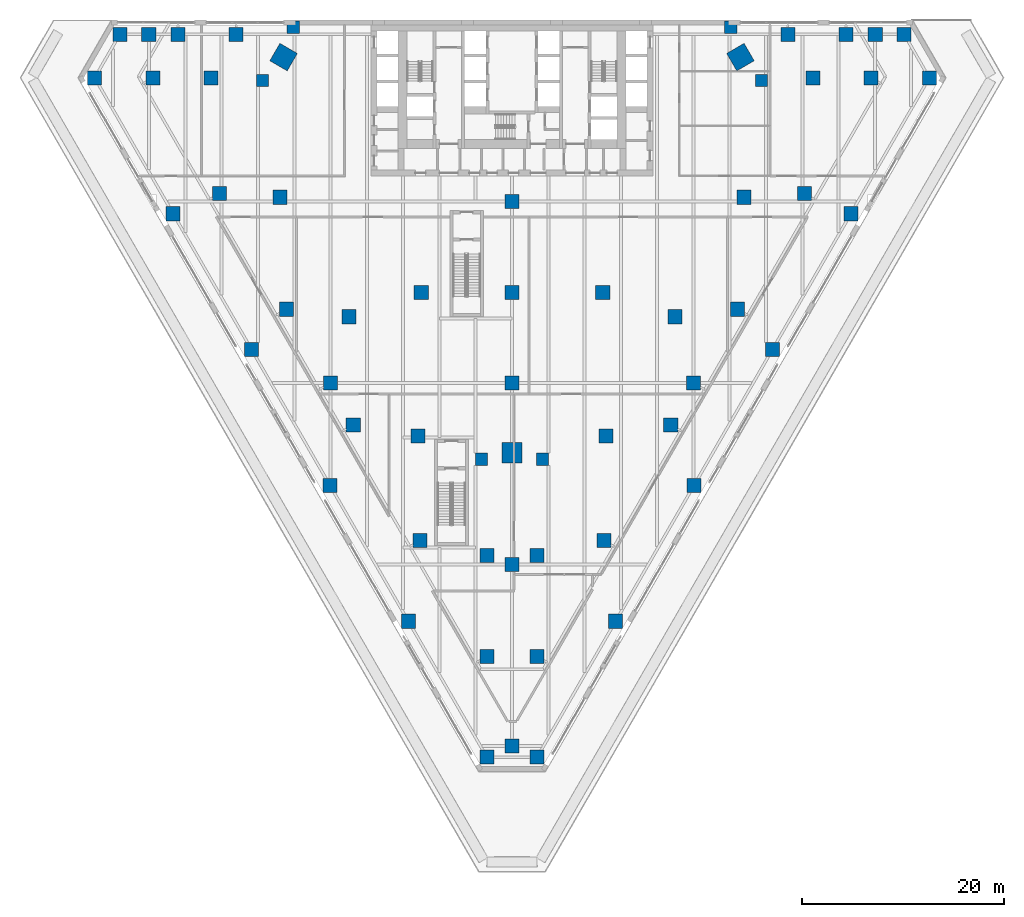
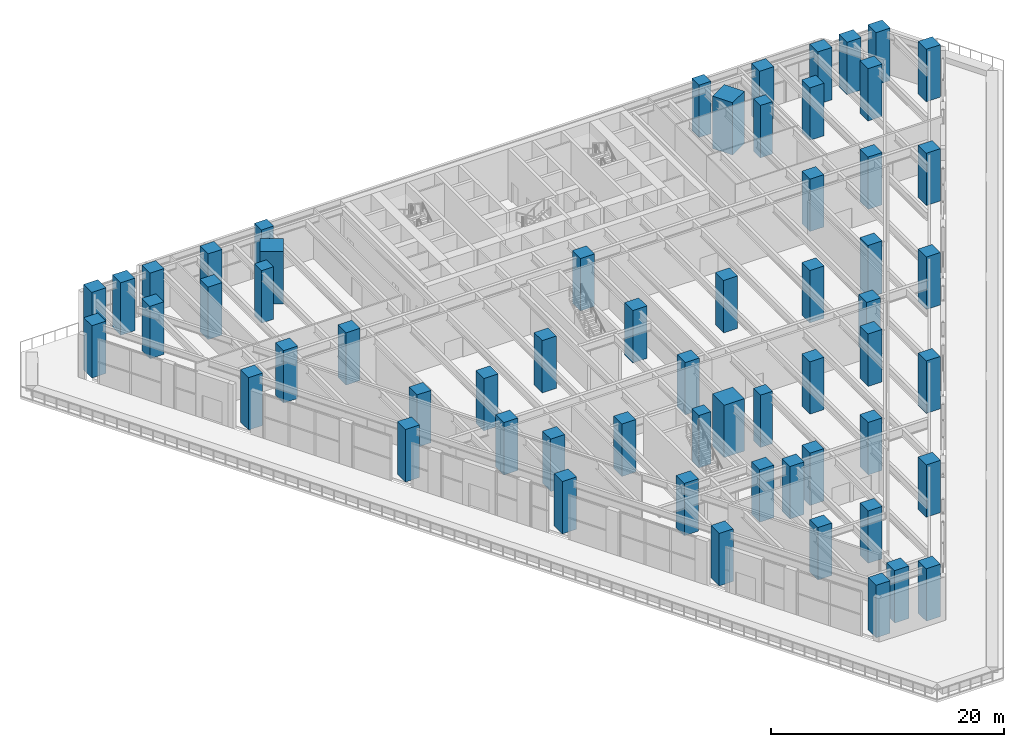
# One storey, part 1 of 30: 60 columns.
"""IFC4 building model written with IfcOpenShell, lengths in metres."""

from ifc_helpers import new_model, si_unit, direction, frame, origin, origin_2d, place, context, subcontext, project, spatial, rectangle, extrude, material, material_profile, profile_set, type_object, element, save


model = new_model("IFC4")

# Units and contexts
model_context = context("Model", 3, precision=1e-05, world=origin(), true_north=direction((0.0, 1.0)))
body_context = subcontext(model_context, "Body", "Model", "MODEL_VIEW")
ifc_project = project(units=[si_unit("LENGTHUNIT", "METRE"), si_unit("AREAUNIT", "SQUARE_METRE"), si_unit("VOLUMEUNIT", "CUBIC_METRE"), si_unit("PLANEANGLEUNIT", "RADIAN"), si_unit("MASSUNIT", "GRAM", prefix="KILO")], contexts=[model_context])

# Site, building, storey
site_placement = place(None, origin())
site = spatial("IfcSite", under=ifc_project, at=site_placement, CompositionType="ELEMENT")
building_placement = place(site_placement, origin())
building = spatial("IfcBuilding", under=site, at=building_placement, Name="Aloe Facet Convention Tower", CompositionType="ELEMENT")
storey_placement = place(building_placement, frame((0.0, 0.0, 19.5)))
storey = spatial("IfcBuildingStorey", under=building, at=storey_placement, Name="L03", CompositionType="ELEMENT", Elevation=19.5)

# Columns
ifc_material_1 = material(Name="Concrete C60/75", Category="concrete")
ifc_material_profile_1 = material_profile(ifc_material_1, rectangle(XDim=1.39990234375, YDim=1.39990234375, at=origin_2d()), Name="SF-PC-1400")
ifc_profile_set_1 = profile_set([ifc_material_profile_1], Name="Concrete C60/75")
column_type_1 = type_object("IfcColumnType", Name="SF-PC-1400", PredefinedType="COLUMN", material=ifc_profile_set_1)
for number, where, z_axis, x_axis, name in (
    (1, (89.0, 108.0, 0.0), (0.0, 0.0, 1.0), (1.0, 0.0, 0.0), "Podium column PC-10D"),
    (2, (98.0, 99.0, 0.0), (0.0, 0.0, 1.0), (1.0, 0.0, 0.0), "Podium column PC-11E"),
    (3, (62.0, 99.0, 0.0), (0.0, 0.0, 1.0), (1.0, 0.0, 0.0), "Podium column PC-7E"),
    (4, (71.0, 108.0, 0.0), (0.0, 0.0, 1.0), (1.0, 0.0, 0.0), "Podium column PC-8D"),
    (5, (80.0, 117.0, 0.0), (0.0, 0.0, 1.0), (1.0, 0.0, 0.0), "Podium column PC-9C"),
    (6, (80.0, 108.0, 0.0), (0.0, 0.0, 1.0), (1.0, 0.0, 0.0), "Podium column PC-9D"),
    (7, (80.0, 99.0, 0.0), (0.0, 0.0, 1.0), (1.0, 0.0, 0.0), "Podium column PC-9E"),
    (8, (80.0, 81.0, 0.0), (0.0, 0.0, 1.0), (1.0, 0.0, 0.0), "Podium column PC-9G"),
    (9, (80.0, 63.0, 0.0), (0.0, 0.0, 1.0), (1.0, 0.0, 0.0), "Podium column PC-9J"),
    (10, (102.375, 106.324951171875, 0.0), (0.0, 0.0, 1.0), (1.0, 0.0, 0.0), "Podium column PE-102-106"),
    (11, (103.01611328125, 117.43505859375, 0.0), (0.0, 0.0, 1.0), (1.0, 0.0, 0.0), "Podium column PE-103-117"),
    (12, (105.839111328125, 102.324951171875, 0.0), (0.0, 0.0, 1.0), (1.0, 0.0, 0.0), "Podium column PE-106-102"),
    (13, (107.364990234375, 133.60009765625, 0.0), (0.0, 0.0, 1.0), (1.0, 0.0, 0.0), "Podium column PE-107-134"),
    (14, (109.0029296875, 117.804931640625, 0.0), (0.0, 0.0, 1.0), (1.0, 0.0, 0.0), "Podium column PE-109-118"),
    (15, (109.85693359375, 129.283935546875, 0.0), (0.0, 0.0, 1.0), (1.0, 0.0, 0.0), "Podium column PE-110-129"),
    (16, (113.138916015625, 133.60009765625, 0.0), (0.0, 0.0, 1.0), (1.0, 0.0, 0.0), "Podium column PE-113-134"),
    (17, (113.62109375, 115.804931640625, 0.0), (0.0, 0.0, 1.0), (1.0, 0.0, 0.0), "Podium column PE-114-116"),
    (18, (115.6298828125, 129.283935546875, 0.0), (0.0, 0.0, 1.0), (1.0, 0.0, 0.0), "Podium column PE-116-129"),
    (19, (116.0419921875, 133.60009765625, 0.0), (0.0, 0.0, 1.0), (1.0, 0.0, 0.0), "Podium column PE-116-134"),
    (20, (118.912109375, 133.60009765625, 0.0), (0.0, 0.0, 1.0), (1.0, 0.0, 0.0), "Podium column PE-119-134"),
    (21, (121.404052734375, 129.283935546875, 0.0), (0.0, 0.0, 1.0), (1.0, 0.0, 0.0), "Podium column PE-121-129"),
    (22, (38.595947265625, 129.283935546875, 0.0), (0.0, 0.0, 1.0), (1.0, 0.0, 0.0), "Podium column PE-39-129"),
    (23, (41.087890625, 133.60009765625, 0.0), (0.0, 0.0, 1.0), (1.0, 0.0, 0.0), "Podium column PE-41-134"),
    (24, (44.3701171875, 129.283935546875, 0.0), (0.0, 0.0, 1.0), (1.0, 0.0, 0.0), "Podium column PE-44-129"),
    (25, (43.9580078125, 133.60009765625, 0.0), (0.0, 0.0, 1.0), (1.0, 0.0, 0.0), "Podium column PE-44-134"),
    (26, (46.37890625, 115.804931640625, 0.0), (0.0, 0.0, 1.0), (1.0, 0.0, 0.0), "Podium column PE-46-116"),
    (27, (46.861083984375, 133.60009765625, 0.0), (0.0, 0.0, 1.0), (1.0, 0.0, 0.0), "Podium column PE-47-134"),
    (28, (50.14306640625, 129.283935546875, 0.0), (0.0, 0.0, 1.0), (1.0, 0.0, 0.0), "Podium column PE-50-129"),
    (29, (50.9970703125, 117.804931640625, 0.0), (0.0, 0.0, 1.0), (1.0, 0.0, 0.0), "Podium column PE-51-118"),
    (30, (52.635009765625, 133.60009765625, 0.0), (0.0, 0.0, 1.0), (1.0, 0.0, 0.0), "Podium column PE-53-134"),
    (31, (54.160888671875, 102.324951171875, 0.0), (0.0, 0.0, 1.0), (1.0, 0.0, 0.0), "Podium column PE-54-102"),
    (32, (56.98388671875, 117.43505859375, 0.0), (0.0, 0.0, 1.0), (1.0, 0.0, 0.0), "Podium column PE-57-117"),
    (33, (57.625, 106.324951171875, 0.0), (0.0, 0.0, 1.0), (1.0, 0.0, 0.0), "Podium column PE-58-106"),
    (34, (61.943115234375, 88.844970703125, 0.0), (0.0, 0.0, 1.0), (1.0, 0.0, 0.0), "Podium column PE-62-89"),
    (35, (63.825927734375, 105.5849609375, 0.0), (0.0, 0.0, 1.0), (1.0, 0.0, 0.0), "Podium column PE-64-106"),
    (36, (64.2529296875, 94.844970703125, 0.0), (0.0, 0.0, 1.0), (1.0, 0.0, 0.0), "Podium column PE-64-95"),
    (37, (69.72607421875, 75.365966796875, 0.0), (0.0, 0.0, 1.0), (1.0, 0.0, 0.0), "Podium column PE-70-75"),
    (38, (70.881103515625, 83.365966796875, 0.0), (0.0, 0.0, 1.0), (1.0, 0.0, 0.0), "Podium column PE-71-83"),
    (39, (70.6669921875, 93.736083984375, 0.0), (0.0, 0.0, 1.0), (1.0, 0.0, 0.0), "Podium column PE-71-94"),
    (40, (77.508056640625, 61.885986328125, 0.0), (0.0, 0.0, 1.0), (1.0, 0.0, 0.0), "Podium column PE-78-62"),
    (41, (77.508056640625, 71.885986328125, 0.0), (0.0, 0.0, 1.0), (1.0, 0.0, 0.0), "Podium column PE-78-72"),
    (42, (77.508056640625, 81.885986328125, 0.0), (0.0, 0.0, 1.0), (1.0, 0.0, 0.0), "Podium column PE-78-82"),
    (43, (82.491943359375, 61.885986328125, 0.0), (0.0, 0.0, 1.0), (1.0, 0.0, 0.0), "Podium column PE-82-62"),
    (44, (82.491943359375, 71.885986328125, 0.0), (0.0, 0.0, 1.0), (1.0, 0.0, 0.0), "Podium column PE-82-72"),
    (45, (82.491943359375, 81.885986328125, 0.0), (0.0, 0.0, 1.0), (1.0, 0.0, 0.0), "Podium column PE-82-82"),
    (46, (89.118896484375, 83.365966796875, 0.0), (0.0, 0.0, 1.0), (1.0, 0.0, 0.0), "Podium column PE-89-83"),
    (47, (89.3330078125, 93.736083984375, 0.0), (0.0, 0.0, 1.0), (1.0, 0.0, 0.0), "Podium column PE-89-94"),
    (48, (90.27392578125, 75.365966796875, 0.0), (0.0, 0.0, 1.0), (1.0, 0.0, 0.0), "Podium column PE-90-75"),
    (49, (96.174072265625, 105.5849609375, 0.0), (0.0, 0.0, 1.0), (1.0, 0.0, 0.0), "Podium column PE-96-106"),
    (50, (95.7470703125, 94.844970703125, 0.0), (0.0, 0.0, 1.0), (1.0, 0.0, 0.0), "Podium column PE-96-95"),
    (51, (98.056884765625, 88.844970703125, 0.0), (0.0, 0.0, 1.0), (1.0, 0.0, 0.0), "Podium column PE-98-89"),
):
    element("IfcColumn", number, at=place(storey_placement, frame(where, z_axis=z_axis, x_axis=x_axis)), inside=storey, type_object=column_type_1, Name=name, PredefinedType="COLUMN", context=body_context, shape_type="SweptSolid", body=[
        extrude(rectangle(XDim=1.39990234375, YDim=1.39990234375, at=origin_2d()), origin(), (0.0, 0.0, 1.0), 5.5),
    ])
ifc_material_2 = material(Name="Concrete C60/75", Category="concrete")
ifc_material_profile_2 = material_profile(ifc_material_2, rectangle(XDim=1.199951171875, YDim=1.199951171875, at=origin_2d()), Name="SF-PR-1200")
ifc_profile_set_2 = profile_set([ifc_material_profile_2], Name="Concrete C60/75")
column_type_2 = type_object("IfcColumnType", Name="SF-PR-1200", PredefinedType="COLUMN", material=ifc_profile_set_2)
for number, where, z_axis, x_axis, name in (
    (52, (55.256103515625, 129.028076171875, 0.0), (0.0, 0.0, 1.0), (1.0, 0.0, 0.0), "Podium column PR-01-55-129"),
    (53, (58.300048828125, 134.300048828125, 0.0), (0.0, 0.0, 1.0), (1.0, 0.0, 0.0), "Podium column PR-02-58-134"),
    (54, (76.956298828125, 91.4423828125, 0.0), (0.0, 0.0, 1.0), (1.0, 0.0, 0.0), "Podium column PR-03-77-91"),
    (55, (83.043701171875, 91.4423828125, 0.0), (0.0, 0.0, 1.0), (1.0, 0.0, 0.0), "Podium column PR-04-83-91"),
    (56, (101.699951171875, 134.300048828125, 0.0), (0.0, 0.0, 1.0), (1.0, 0.0, 0.0), "Podium column PR-05-102-134"),
    (57, (104.743896484375, 129.028076171875, 0.0), (0.0, 0.0, 1.0), (1.0, 0.0, 0.0), "Podium column PR-06-105-129"),
):
    element("IfcColumn", number, at=place(storey_placement, frame(where, z_axis=z_axis, x_axis=x_axis)), inside=storey, type_object=column_type_2, Name=name, PredefinedType="COLUMN", context=body_context, shape_type="SweptSolid", body=[
        extrude(rectangle(XDim=1.199951171875, YDim=1.199951171875, at=origin_2d()), origin(), (0.0, 0.0, 1.0), 5.5),
    ])
ifc_material_3 = material(Name="Concrete C80/95", Category="concrete")
ifc_material_profile_3 = material_profile(ifc_material_3, rectangle(XDim=2.0, YDim=2.0, at=origin_2d()), Name="STW-MC-Z1")
ifc_profile_set_3 = profile_set([ifc_material_profile_3], Name="Concrete C80/95")
column_type_3 = type_object("IfcColumnType", Name="STW-MC-Z1", PredefinedType="COLUMN", material=ifc_profile_set_3)
for number, where, z_axis, x_axis, name in (
    (58, (102.664306640625, 131.342041015625, 0.0), (0.0, 0.0, 1.0), (-0.5, 0.866025403784, 0.0), "Mega-column MC-NE-L03"),
    (59, (57.335693359375, 131.342041015625, 0.0), (0.0, 0.0, 1.0), (-0.5, -0.866025403784, 0.0), "Mega-column MC-NW-L03"),
    (60, (80.0, 92.086181640625, 0.0), (0.0, 0.0, 1.0), (1.0, 0.0, 0.0), "Mega-column MC-S-L03"),
):
    element("IfcColumn", number, at=place(storey_placement, frame(where, z_axis=z_axis, x_axis=x_axis)), inside=storey, type_object=column_type_3, Name=name, PredefinedType="COLUMN", context=body_context, shape_type="SweptSolid", body=[
        extrude(rectangle(XDim=2.0, YDim=2.0, at=origin_2d()), origin(), (0.0, 0.0, 1.0), 5.5),
    ])

save(model, "model.ifc")
